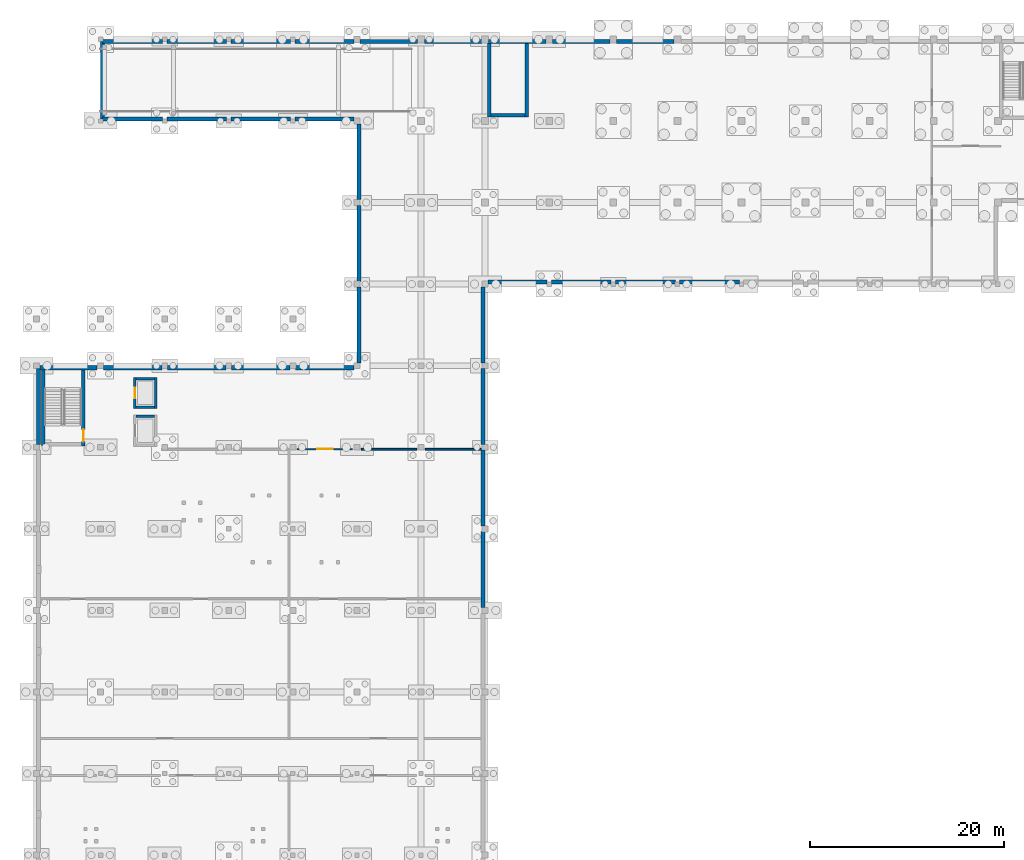
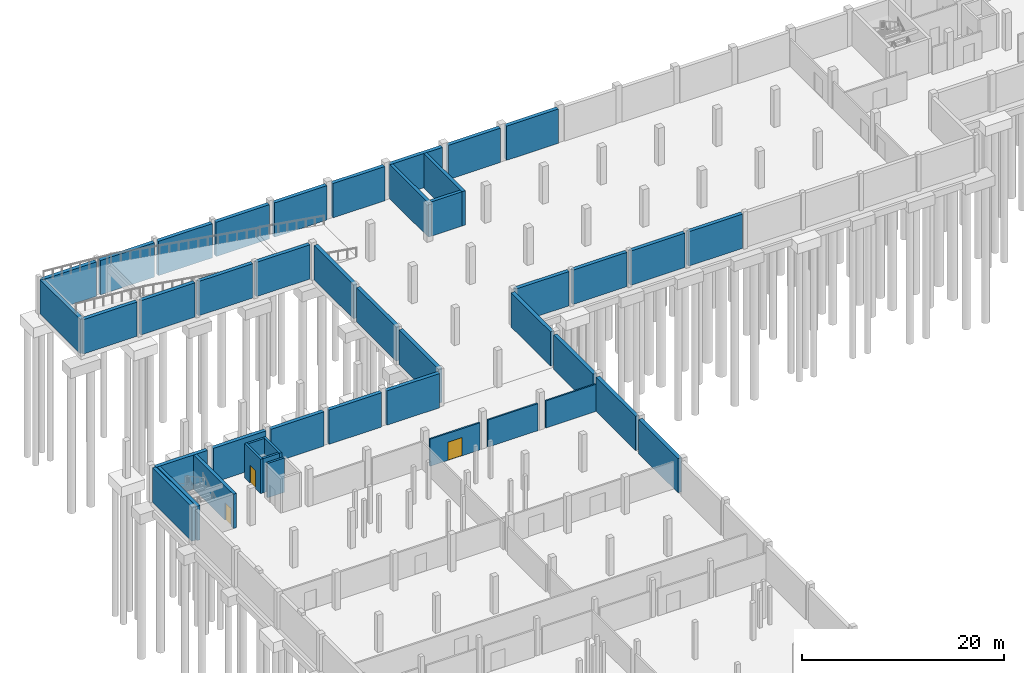
# One storey, part 14 of 25: 44 walls, 3 doors, 3 openings.
"""IFC4 building model written with IfcOpenShell, lengths in metres."""

from ifc_helpers import new_model, si_unit, direction, frame, frame_2d, origin, place, context, subcontext, project, spatial, rectangle, extrude, material, layer, layer_set, type_object, element, fill, save


model = new_model("IFC4")

# Units and contexts
model_context = context("Model", 3, precision=1e-05, world=origin(), true_north=direction((0.0, 1.0)))
body_context = subcontext(model_context, "Body", "Model", "MODEL_VIEW")
ifc_project = project(units=[si_unit("LENGTHUNIT", "METRE"), si_unit("AREAUNIT", "SQUARE_METRE"), si_unit("VOLUMEUNIT", "CUBIC_METRE"), si_unit("PLANEANGLEUNIT", "RADIAN"), si_unit("MASSUNIT", "GRAM", prefix="KILO")], contexts=[model_context])

# Site, building, storey
site_placement = place(None, origin())
site = spatial("IfcSite", under=ifc_project, at=site_placement, CompositionType="ELEMENT")
building_placement = place(site_placement, origin())
building = spatial("IfcBuilding", under=site, at=building_placement, Name="Qaldarim Faculty of Natural and Applied Sciences", CompositionType="ELEMENT")
storey_placement = place(building_placement, frame((0.0, 0.0, -4.5)))
storey = spatial("IfcBuildingStorey", under=building, at=storey_placement, Name="B01", CompositionType="ELEMENT", Elevation=-4.5)

# Walls
ifc_material_1 = material(Name="Concrete C40/50", Category="concrete")
ifc_layer_1 = layer(ifc_material_1, 0.419921875)
ifc_layer_set_1 = layer_set([ifc_layer_1], Name="Concrete C40/50")
wall_type_1 = type_object("IfcWallType", Name="BasementRetainingWall-420", PredefinedType="SOLIDWALL", material=ifc_layer_set_1)
wall_1_placement = place(storey_placement, frame((6.25, 83.7900390625, 0.0), z_axis=(0.0, 0.0, 1.0), x_axis=(-1.0, 0.0, 0.0)))
element("IfcWall", 1, at=wall_1_placement, inside=storey, type_object=wall_type_1, Name="Basement retaining wall N X01Y10", PredefinedType="SOLIDWALL", context=body_context, shape_type="SweptSolid", body=[
    extrude(rectangle(XDim=5.89990234375, YDim=0.419921875, at=frame_2d((2.949951171875, 0.0))), origin(), (0.0, 0.0, 1.0), 4.139892578125),
])
wall_2_placement = place(storey_placement, frame((0.2099609375, 83.705078125, 0.0), z_axis=(0.0, 0.0, 1.0), x_axis=(0.0, -1.0, 0.0)))
element("IfcWall", 2, at=wall_2_placement, inside=storey, type_object=wall_type_1, Name="Basement retaining wall W X01Y10", PredefinedType="SOLIDWALL", context=body_context, shape_type="SweptSolid", body=[
    extrude(rectangle(XDim=7.81005859375, YDim=0.419921875, at=frame_2d((3.905029296875, 0.0))), origin(), (0.0, 0.0, 1.0), 4.139892578125),
])
wall_3_placement = place(storey_placement, frame((12.905029296875, 83.7900390625, 0.0), z_axis=(0.0, 0.0, 1.0), x_axis=(-1.0, 0.0, 0.0)))
element("IfcWall", 3, at=wall_3_placement, inside=storey, type_object=wall_type_1, Name="Basement retaining wall N X02Y10", PredefinedType="SOLIDWALL", context=body_context, shape_type="SweptSolid", body=[
    extrude(rectangle(XDim=6.010009765625, YDim=0.419921875, at=frame_2d((3.0048828125, 0.0))), origin(), (0.0, 0.0, 1.0), 4.139892578125),
])
for number, where, z_axis, x_axis, name in (
    (4, (6.820068359375, 109.409912109375, 0.0), (0.0, 0.0, 1.0), (1.0, 0.0, 0.0), "Basement retaining wall S X02Y14"),
    (5, (12.97998046875, 117.389892578125, 0.0), (0.0, 0.0, 1.0), (-1.0, 0.0, 0.0), "Basement retaining wall N X02Y14"),
):
    element("IfcWall", number, at=place(storey_placement, frame(where, z_axis=z_axis, x_axis=x_axis)), inside=storey, type_object=wall_type_1, Name=name, PredefinedType="SOLIDWALL", context=body_context, shape_type="SweptSolid", body=[
        extrude(rectangle(XDim=6.159912109375, YDim=0.419921875, at=frame_2d((3.080078125, 0.0))), origin(), (0.0, 0.0, 1.0), 4.139892578125),
    ])
wall_4_placement = place(storey_placement, frame((6.81005859375, 117.3798828125, 0.0), z_axis=(0.0, 0.0, 1.0), x_axis=(0.0, -1.0, 0.0)))
element("IfcWall", 6, at=wall_4_placement, inside=storey, type_object=wall_type_1, Name="Basement retaining wall W X02Y14", PredefinedType="SOLIDWALL", context=body_context, shape_type="SweptSolid", body=[
    extrude(rectangle(XDim=7.9599609375, YDim=0.419921875, at=frame_2d((3.97998046875, 0.0))), origin(), (0.0, 0.0, 1.0), 4.139892578125),
])
wall_5_placement = place(storey_placement, frame((19.5048828125, 83.7900390625, 0.0), z_axis=(0.0, 0.0, 1.0), x_axis=(-1.0, 0.0, 0.0)))
element("IfcWall", 7, at=wall_5_placement, inside=storey, type_object=wall_type_1, Name="Basement retaining wall N X03Y10", PredefinedType="SOLIDWALL", context=body_context, shape_type="SweptSolid", body=[
    extrude(rectangle(XDim=6.009765625, YDim=0.419921875, at=frame_2d((3.0048828125, 0.0))), origin(), (0.0, 0.0, 1.0), 4.139892578125),
])
for number, where, z_axis, x_axis, name in (
    (8, (13.419921875, 109.409912109375, 0.0), (0.0, 0.0, 1.0), (1.0, 0.0, 0.0), "Basement retaining wall S X03Y14"),
    (9, (19.580078125, 117.389892578125, 0.0), (0.0, 0.0, 1.0), (-1.0, 0.0, 0.0), "Basement retaining wall N X03Y14"),
):
    element("IfcWall", number, at=place(storey_placement, frame(where, z_axis=z_axis, x_axis=x_axis)), inside=storey, type_object=wall_type_1, Name=name, PredefinedType="SOLIDWALL", context=body_context, shape_type="SweptSolid", body=[
        extrude(rectangle(XDim=6.16015625, YDim=0.419921875, at=frame_2d((3.080078125, 0.0))), origin(), (0.0, 0.0, 1.0), 4.139892578125),
    ])
wall_6_placement = place(storey_placement, frame((26.10498046875, 83.7900390625, 0.0), z_axis=(0.0, 0.0, 1.0), x_axis=(-1.0, 0.0, 0.0)))
element("IfcWall", 10, at=wall_6_placement, inside=storey, type_object=wall_type_1, Name="Basement retaining wall N X04Y10", PredefinedType="SOLIDWALL", context=body_context, shape_type="SweptSolid", body=[
    extrude(rectangle(XDim=6.010009765625, YDim=0.419921875, at=frame_2d((3.0048828125, 0.0))), origin(), (0.0, 0.0, 1.0), 4.139892578125),
])
for number, where, z_axis, x_axis, name in (
    (11, (20.02001953125, 109.409912109375, 0.0), (0.0, 0.0, 1.0), (1.0, 0.0, 0.0), "Basement retaining wall S X04Y14"),
    (12, (26.179931640625, 117.389892578125, 0.0), (0.0, 0.0, 1.0), (-1.0, 0.0, 0.0), "Basement retaining wall N X04Y14"),
):
    element("IfcWall", number, at=place(storey_placement, frame(where, z_axis=z_axis, x_axis=x_axis)), inside=storey, type_object=wall_type_1, Name=name, PredefinedType="SOLIDWALL", context=body_context, shape_type="SweptSolid", body=[
        extrude(rectangle(XDim=6.159912109375, YDim=0.419921875, at=frame_2d((3.080078125, 0.0))), origin(), (0.0, 0.0, 1.0), 4.139892578125),
    ])
wall_7_placement = place(storey_placement, frame((32.705078125, 83.7900390625, 0.0), z_axis=(0.0, 0.0, 1.0), x_axis=(-1.0, 0.0, 0.0)))
element("IfcWall", 13, at=wall_7_placement, inside=storey, type_object=wall_type_1, Name="Basement retaining wall N X05Y10", PredefinedType="SOLIDWALL", context=body_context, shape_type="SweptSolid", body=[
    extrude(rectangle(XDim=6.010009765625, YDim=0.419921875, at=frame_2d((3.0048828125, 0.0))), origin(), (0.0, 0.0, 1.0), 4.139892578125),
])
for number, where, z_axis, x_axis, name in (
    (14, (26.6201171875, 109.409912109375, 0.0), (0.0, 0.0, 1.0), (1.0, 0.0, 0.0), "Basement retaining wall S X05Y14"),
    (15, (32.705078125, 117.389892578125, 0.0), (0.0, 0.0, 1.0), (-1.0, 0.0, 0.0), "Basement retaining wall N X05Y14"),
):
    element("IfcWall", number, at=place(storey_placement, frame(where, z_axis=z_axis, x_axis=x_axis)), inside=storey, type_object=wall_type_1, Name=name, PredefinedType="SOLIDWALL", context=body_context, shape_type="SweptSolid", body=[
        extrude(rectangle(XDim=6.0849609375, YDim=0.419921875, at=frame_2d((3.04248046875, 0.0))), origin(), (0.0, 0.0, 1.0), 4.139892578125),
    ])
wall_8_placement = place(storey_placement, frame((33.2099609375, 92.10498046875, 0.0), z_axis=(0.0, 0.0, 1.0), x_axis=(0.0, -1.0, 0.0)))
element("IfcWall", 16, at=wall_8_placement, inside=storey, type_object=wall_type_1, Name="Basement retaining wall W X06Y11", PredefinedType="SOLIDWALL", context=body_context, shape_type="SweptSolid", body=[
    extrude(rectangle(XDim=7.81005859375, YDim=0.419921875, at=frame_2d((3.905029296875, 0.0))), origin(), (0.0, 0.0, 1.0), 4.139892578125),
])
wall_9_placement = place(storey_placement, frame((33.2099609375, 100.5048828125, 0.0), z_axis=(0.0, 0.0, 1.0), x_axis=(0.0, -1.0, 0.0)))
element("IfcWall", 17, at=wall_9_placement, inside=storey, type_object=wall_type_1, Name="Basement retaining wall W X06Y12", PredefinedType="SOLIDWALL", context=body_context, shape_type="SweptSolid", body=[
    extrude(rectangle(XDim=7.809814453125, YDim=0.419921875, at=frame_2d((3.90478515625, 0.0))), origin(), (0.0, 0.0, 1.0), 4.139892578125),
])
wall_10_placement = place(storey_placement, frame((33.2099609375, 108.905029296875, 0.0), z_axis=(0.0, 0.0, 1.0), x_axis=(0.0, -1.0, 0.0)))
element("IfcWall", 18, at=wall_10_placement, inside=storey, type_object=wall_type_1, Name="Basement retaining wall W X06Y13", PredefinedType="SOLIDWALL", context=body_context, shape_type="SweptSolid", body=[
    extrude(rectangle(XDim=7.81005859375, YDim=0.419921875, at=frame_2d((3.905029296875, 0.0))), origin(), (0.0, 0.0, 1.0), 4.139892578125),
])
wall_11_placement = place(storey_placement, frame((39.2548828125, 117.389892578125, 0.0), z_axis=(0.0, 0.0, 1.0), x_axis=(-1.0, 0.0, 0.0)))
element("IfcWall", 19, at=wall_11_placement, inside=storey, type_object=wall_type_1, Name="Basement retaining wall N X06Y14", PredefinedType="SOLIDWALL", context=body_context, shape_type="SweptSolid", body=[
    extrude(rectangle(XDim=5.9599609375, YDim=0.419921875, at=frame_2d((2.97998046875, 0.0))), origin(), (0.0, 0.0, 1.0), 4.139892578125),
])
wall_12_placement = place(storey_placement, frame((45.989990234375, 59.094970703125, 0.0), z_axis=(0.0, 0.0, 1.0), x_axis=(0.0, 1.0, 0.0)))
element("IfcWall", 20, at=wall_12_placement, inside=storey, type_object=wall_type_1, Name="Basement retaining wall E X07Y08", PredefinedType="SOLIDWALL", context=body_context, shape_type="SweptSolid", body=[
    extrude(rectangle(XDim=7.81005859375, YDim=0.419921875, at=frame_2d((3.905029296875, 0.0))), origin(), (0.0, 0.0, 1.0), 4.139892578125),
])
wall_13_placement = place(storey_placement, frame((45.989990234375, 67.4951171875, 0.0), z_axis=(0.0, 0.0, 1.0), x_axis=(0.0, 1.0, 0.0)))
element("IfcWall", 21, at=wall_13_placement, inside=storey, type_object=wall_type_1, Name="Basement retaining wall E X07Y09", PredefinedType="SOLIDWALL", context=body_context, shape_type="SweptSolid", body=[
    extrude(rectangle(XDim=7.809814453125, YDim=0.419921875, at=frame_2d((3.90478515625, 0.0))), origin(), (0.0, 0.0, 1.0), 4.139892578125),
])
for number, where, z_axis, x_axis, name in (
    (22, (45.989990234375, 75.89501953125, 0.0), (0.0, 0.0, 1.0), (0.0, 1.0, 0.0), "Basement retaining wall E X07Y10"),
    (23, (45.989990234375, 84.294921875, 0.0), (0.0, 0.0, 1.0), (0.0, 1.0, 0.0), "Basement retaining wall E X07Y11"),
):
    element("IfcWall", number, at=place(storey_placement, frame(where, z_axis=z_axis, x_axis=x_axis)), inside=storey, type_object=wall_type_1, Name=name, PredefinedType="SOLIDWALL", context=body_context, shape_type="SweptSolid", body=[
        extrude(rectangle(XDim=7.81005859375, YDim=0.419921875, at=frame_2d((3.905029296875, 0.0))), origin(), (0.0, 0.0, 1.0), 4.139892578125),
    ])
wall_14_placement = place(storey_placement, frame((45.85498046875, 117.389892578125, 0.0), z_axis=(0.0, 0.0, 1.0), x_axis=(-1.0, 0.0, 0.0)))
element("IfcWall", 24, at=wall_14_placement, inside=storey, type_object=wall_type_1, Name="Basement retaining wall N X07Y14", PredefinedType="SOLIDWALL", context=body_context, shape_type="SweptSolid", body=[
    extrude(rectangle(XDim=5.909912109375, YDim=0.419921875, at=frame_2d((2.955078125, 0.0))), origin(), (0.0, 0.0, 1.0), 4.139892578125),
])
wall_15_placement = place(storey_placement, frame((46.4951171875, 92.610107421875, 0.0), z_axis=(0.0, 0.0, 1.0), x_axis=(1.0, 0.0, 0.0)))
element("IfcWall", 25, at=wall_15_placement, inside=storey, type_object=wall_type_1, Name="Basement retaining wall S X08Y12", PredefinedType="SOLIDWALL", context=body_context, shape_type="SweptSolid", body=[
    extrude(rectangle(XDim=6.0849609375, YDim=0.419921875, at=frame_2d((3.04248046875, 0.0))), origin(), (0.0, 0.0, 1.0), 4.139892578125),
])
wall_16_placement = place(storey_placement, frame((52.455078125, 117.389892578125, 0.0), z_axis=(0.0, 0.0, 1.0), x_axis=(-1.0, 0.0, 0.0)))
element("IfcWall", 26, at=wall_16_placement, inside=storey, type_object=wall_type_1, Name="Basement retaining wall N X08Y14", PredefinedType="SOLIDWALL", context=body_context, shape_type="SweptSolid", body=[
    extrude(rectangle(XDim=5.91015625, YDim=0.419921875, at=frame_2d((2.955078125, 0.0))), origin(), (0.0, 0.0, 1.0), 4.139892578125),
])
wall_17_placement = place(storey_placement, frame((53.02001953125, 92.610107421875, 0.0), z_axis=(0.0, 0.0, 1.0), x_axis=(1.0, 0.0, 0.0)))
element("IfcWall", 27, at=wall_17_placement, inside=storey, type_object=wall_type_1, Name="Basement retaining wall S X09Y12", PredefinedType="SOLIDWALL", context=body_context, shape_type="SweptSolid", body=[
    extrude(rectangle(XDim=6.159912109375, YDim=0.419921875, at=frame_2d((3.080078125, 0.0))), origin(), (0.0, 0.0, 1.0), 4.139892578125),
])
wall_18_placement = place(storey_placement, frame((59.054931640625, 117.389892578125, 0.0), z_axis=(0.0, 0.0, 1.0), x_axis=(-1.0, 0.0, 0.0)))
element("IfcWall", 28, at=wall_18_placement, inside=storey, type_object=wall_type_1, Name="Basement retaining wall N X09Y14", PredefinedType="SOLIDWALL", context=body_context, shape_type="SweptSolid", body=[
    extrude(rectangle(XDim=5.909912109375, YDim=0.419921875, at=frame_2d((2.955078125, 0.0))), origin(), (0.0, 0.0, 1.0), 4.139892578125),
])
wall_19_placement = place(storey_placement, frame((59.6201171875, 92.610107421875, 0.0), z_axis=(0.0, 0.0, 1.0), x_axis=(1.0, 0.0, 0.0)))
element("IfcWall", 29, at=wall_19_placement, inside=storey, type_object=wall_type_1, Name="Basement retaining wall S X10Y12", PredefinedType="SOLIDWALL", context=body_context, shape_type="SweptSolid", body=[
    extrude(rectangle(XDim=6.159912109375, YDim=0.419921875, at=frame_2d((3.080078125, 0.0))), origin(), (0.0, 0.0, 1.0), 4.139892578125),
])
wall_20_placement = place(storey_placement, frame((65.655029296875, 117.389892578125, 0.0), z_axis=(0.0, 0.0, 1.0), x_axis=(-1.0, 0.0, 0.0)))
element("IfcWall", 30, at=wall_20_placement, inside=storey, type_object=wall_type_1, Name="Basement retaining wall N X10Y14", PredefinedType="SOLIDWALL", context=body_context, shape_type="SweptSolid", body=[
    extrude(rectangle(XDim=5.909912109375, YDim=0.419921875, at=frame_2d((2.955078125, 0.0))), origin(), (0.0, 0.0, 1.0), 4.139892578125),
])
wall_21_placement = place(storey_placement, frame((66.219970703125, 92.610107421875, 0.0), z_axis=(0.0, 0.0, 1.0), x_axis=(1.0, 0.0, 0.0)))
element("IfcWall", 31, at=wall_21_placement, inside=storey, type_object=wall_type_1, Name="Basement retaining wall S X11Y12", PredefinedType="SOLIDWALL", context=body_context, shape_type="SweptSolid", body=[
    extrude(rectangle(XDim=6.159912109375, YDim=0.419921875, at=frame_2d((3.080078125, 0.0))), origin(), (0.0, 0.0, 1.0), 4.139892578125),
])
ifc_material_2 = material(Name="Concrete C50/60", Category="concrete")
ifc_layer_2 = layer(ifc_material_2, 0.360107421875)
ifc_layer_set_2 = layer_set([ifc_layer_2], Name="Concrete C50/60")
wall_type_2 = type_object("IfcWallType", Name="CoreShearWall-360", PredefinedType="SHEAR", material=ifc_layer_set_2)
for number, where, z_axis, x_axis, name in (
    (32, (46.6201171875, 109.590087890625, 0.0), (0.0, 0.0, 1.0), (0.0, 1.0, 0.0), "Core stair ST-B2 west shear wall B01"),
    (33, (50.47998046875, 109.590087890625, 0.0), (0.0, 0.0, 1.0), (0.0, 1.0, 0.0), "Core stair ST-B2 east shear wall B01"),
):
    element("IfcWall", number, at=place(storey_placement, frame(where, z_axis=z_axis, x_axis=x_axis)), inside=storey, type_object=wall_type_2, Name=name, PredefinedType="SHEAR", context=body_context, shape_type="SweptSolid", body=[
        extrude(rectangle(XDim=7.7998046875, YDim=0.360107421875, at=frame_2d((3.89990234375, 0.0))), origin(), (0.0, 0.0, 1.0), 4.139892578125),
    ])
wall_22_placement = place(storey_placement, frame((46.800048828125, 109.77001953125, 0.0), z_axis=(0.0, 0.0, 1.0), x_axis=(1.0, 0.0, 0.0)))
element("IfcWall", 34, at=wall_22_placement, inside=storey, type_object=wall_type_2, Name="Core stair ST-B2 south shear wall B01", PredefinedType="SHEAR", context=body_context, shape_type="SweptSolid", body=[
    extrude(rectangle(XDim=3.5, YDim=0.360107421875, at=frame_2d((1.75, 0.0))), origin(), (0.0, 0.0, 1.0), 4.139892578125),
])
wall_23_placement = place(storey_placement, frame((0.669921875, 75.739990234375, 0.0), z_axis=(0.0, 0.0, 1.0), x_axis=(0.0, 1.0, 0.0)))
element("IfcWall", 35, at=wall_23_placement, inside=storey, type_object=wall_type_2, Name="Core stair ST-D2 west shear wall B01", PredefinedType="SHEAR", context=body_context, shape_type="SweptSolid", body=[
    extrude(rectangle(XDim=8.050048828125, YDim=0.360107421875, at=frame_2d((4.02490234375, 0.0))), origin(), (0.0, 0.0, 1.0), 4.139892578125),
])

# Wall, opening, door
wall_24_placement = place(storey_placement, frame((4.830078125, 75.739990234375, 0.0), z_axis=(0.0, 0.0, 1.0), x_axis=(0.0, 1.0, 0.0)))
wall_24 = element("IfcWall", 36, at=wall_24_placement, inside=storey, type_object=wall_type_2, Name="Core stair ST-D2 east shear wall B01", PredefinedType="SHEAR", context=body_context, shape_type="SweptSolid", body=[
    extrude(rectangle(XDim=8.050048828125, YDim=0.360107421875, at=frame_2d((4.02490234375, 0.0))), origin(), (0.0, 0.0, 1.0), 4.139892578125),
])
opening_1_placement = place(wall_24_placement, frame((0.449951171875, 0.0, 0.0)))
opening_1 = element("IfcOpeningElement", 37, at=opening_1_placement, cuts=wall_24, Name="Opening ID04", PredefinedType="OPENING", context=body_context, shape_type="SweptSolid", body=[
    extrude(rectangle(XDim=1.25, YDim=2.14990234375, at=frame_2d((0.625, 1.074951171875))), frame((0.0, 0.18994140625, 0.0), z_axis=(0.0, -1.0, 0.0), x_axis=(1.0, 0.0, 0.0)), (0.0, 0.0, 1.0), 0.380126953125),
])
ifc_material_3 = material(Name="Architectural stainless steel 316", Category="steel")
door_type_1 = type_object("IfcDoorType", Name="StairEnclosureFireDoor-1250x2150", OperationType="NOTDEFINED", PredefinedType="DOOR", material=ifc_material_3)
door_1_placement = place(opening_1_placement, origin())
door_1 = element("IfcDoor", 38, at=door_1_placement, inside=storey, type_object=door_type_1, Name="Protected stair ST-D2 fire door D-B01-552", OperationType="SINGLE_SWING_LEFT", OverallHeight=2.14990234375, OverallWidth=1.25, PredefinedType="DOOR", context=body_context, shape_type="SweptSolid", body=[
    extrude(rectangle(XDim=1.25, YDim=2.14990234375, at=frame_2d((0.625, 1.074951171875))), frame((0.0, 0.02490234375, 0.0), z_axis=(0.0, -1.0, 0.0), x_axis=(1.0, 0.0, 0.0)), (0.0, 0.0, 1.0), 0.050048828125),
])
fill(opening_1, door_1)

ifc_layer_3 = layer(ifc_material_1, 0.179931640625)
ifc_layer_set_3 = layer_set([ifc_layer_3], Name="Concrete C40/50")
wall_type_3 = type_object("IfcWallType", Name="LabFireCompartmentWall-180", PredefinedType="SOLIDWALL", material=ifc_layer_set_3)
wall_25_placement = place(storey_placement, frame((26.85009765625, 75.39990234375, 0.0), z_axis=(0.0, 0.0, 1.0), x_axis=(1.0, 0.0, 0.0)))
wall_25 = element("IfcWall", 39, at=wall_25_placement, inside=storey, type_object=wall_type_3, Name="Interior partition PRT-B01-V2B-N-S3", PredefinedType="SOLIDWALL", context=body_context, shape_type="SweptSolid", body=[
    extrude(rectangle(XDim=5.699951171875, YDim=0.179931640625, at=frame_2d((2.85009765625, 0.0))), origin(), (0.0, 0.0, 1.0), 3.27490234375),
])
opening_2_placement = place(wall_25_placement, frame((2.050048828125, 0.0, 0.0)))
opening_2 = element("IfcOpeningElement", 40, at=opening_2_placement, cuts=wall_25, Name="Opening ID06", PredefinedType="OPENING", context=body_context, shape_type="SweptSolid", body=[
    extrude(rectangle(XDim=1.60009765625, YDim=2.199951171875, at=frame_2d((0.800048828125, 1.10009765625))), frame((0.0, 0.099853515625, 0.0), z_axis=(0.0, -1.0, 0.0), x_axis=(1.0, 0.0, 0.0)), (0.0, 0.0, 1.0), 0.199951171875),
])
door_type_2 = type_object("IfcDoorType", Name="LabEquipmentDoubleDoor-1600x2200", OperationType="NOTDEFINED", PredefinedType="DOOR", material=ifc_material_3)
door_2_placement = place(opening_2_placement, origin())
door_2 = element("IfcDoor", 41, at=door_2_placement, inside=storey, type_object=door_type_2, Name="Interior door D-B01-155", OperationType="DOUBLE_DOOR_SINGLE_SWING", OverallHeight=2.199951171875, OverallWidth=1.60009765625, PredefinedType="DOOR", context=body_context, shape_type="SweptSolid", body=[
    extrude(rectangle(XDim=1.60009765625, YDim=2.199951171875, at=frame_2d((0.800048828125, 1.10009765625))), frame((0.0, 0.02490234375, 0.0), z_axis=(0.0, -1.0, 0.0), x_axis=(1.0, 0.0, 0.0)), (0.0, 0.0, 1.0), 0.050048828125),
])
fill(opening_2, door_2)

# Walls
wall_26_placement = place(storey_placement, frame((33.449951171875, 75.39990234375, 0.0), z_axis=(0.0, 0.0, 1.0), x_axis=(1.0, 0.0, 0.0)))
element("IfcWall", 42, at=wall_26_placement, inside=storey, type_object=wall_type_3, Name="Interior partition PRT-B01-V2B-N-S4", PredefinedType="SOLIDWALL", context=body_context, shape_type="SweptSolid", body=[
    extrude(rectangle(XDim=5.699951171875, YDim=0.179931640625, at=frame_2d((2.85009765625, 0.0))), origin(), (0.0, 0.0, 1.0), 3.27490234375),
])
wall_27_placement = place(storey_placement, frame((40.050048828125, 75.39990234375, 0.0), z_axis=(0.0, 0.0, 1.0), x_axis=(1.0, 0.0, 0.0)))
element("IfcWall", 43, at=wall_27_placement, inside=storey, type_object=wall_type_3, Name="Interior partition PRT-B01-V2B-N-S5", PredefinedType="SOLIDWALL", context=body_context, shape_type="SweptSolid", body=[
    extrude(rectangle(XDim=5.72998046875, YDim=0.179931640625, at=frame_2d((2.864990234375, 0.0))), origin(), (0.0, 0.0, 1.0), 3.27490234375),
])
ifc_layer_4 = layer(ifc_material_1, 0.25)
ifc_layer_set_4 = layer_set([ifc_layer_4], Name="Concrete C40/50")
wall_type_4 = type_object("IfcWallType", Name="LiftShaftWall-250", PredefinedType="SHEAR", material=ifc_layer_set_4)
wall_28_placement = place(storey_placement, frame((10.25, 78.77490234375, 0.0), z_axis=(0.0, 0.0, 1.0), x_axis=(1.0, 0.0, 0.0)))
element("IfcWall", 44, at=wall_28_placement, inside=storey, type_object=wall_type_4, Name="Lift LF-D1 north shaft wall B01", PredefinedType="SHEAR", context=body_context, shape_type="SweptSolid", body=[
    extrude(rectangle(XDim=1.89990234375, YDim=0.25, at=frame_2d((0.949951171875, 0.0))), origin(), (0.0, 0.0, 1.0), 4.139892578125),
])

# Wall, opening, door
wall_29_placement = place(storey_placement, frame((10.125, 79.60009765625, 0.0), z_axis=(0.0, 0.0, 1.0), x_axis=(0.0, 1.0, 0.0)))
wall_29 = element("IfcWall", 45, at=wall_29_placement, inside=storey, type_object=wall_type_4, Name="Lift LF-D2 front shaft wall B01", PredefinedType="SHEAR", context=body_context, shape_type="SweptSolid", body=[
    extrude(rectangle(XDim=3.199951171875, YDim=0.25, at=frame_2d((1.60009765625, 0.0))), origin(), (0.0, 0.0, 1.0), 4.139892578125),
])
opening_3_placement = place(wall_29_placement, frame((1.050048828125, 0.0, 0.0)))
opening_3 = element("IfcOpeningElement", 46, at=opening_3_placement, cuts=wall_29, Name="Opening LD01", PredefinedType="OPENING", context=body_context, shape_type="SweptSolid", body=[
    extrude(rectangle(XDim=1.10009765625, YDim=2.14990234375, at=frame_2d((0.550048828125, 1.074951171875))), frame((0.0, 0.135009765625, 0.0), z_axis=(0.0, -1.0, 0.0), x_axis=(1.0, 0.0, 0.0)), (0.0, 0.0, 1.0), 0.27001953125),
])
door_type_3 = type_object("IfcDoorType", Name="LiftLandingSlidingDoor-1100x2150", OperationType="NOTDEFINED", PredefinedType="DOOR", material=ifc_material_3)
door_3_placement = place(opening_3_placement, origin())
door_3 = element("IfcDoor", 47, at=door_3_placement, inside=storey, type_object=door_type_3, Name="Lift landing sliding door LF-D2 D-B01-667", OperationType="SLIDING_TO_LEFT", OverallHeight=2.14990234375, OverallWidth=1.10009765625, PredefinedType="DOOR", context=body_context, shape_type="SweptSolid", body=[
    extrude(rectangle(XDim=1.10009765625, YDim=2.14990234375, at=frame_2d((0.550048828125, 1.074951171875))), frame((0.0, 0.02490234375, 0.0), z_axis=(0.0, -1.0, 0.0), x_axis=(1.0, 0.0, 0.0)), (0.0, 0.0, 1.0), 0.050048828125),
])
fill(opening_3, door_3)

# Walls
wall_30_placement = place(storey_placement, frame((12.27490234375, 79.60009765625, 0.0), z_axis=(0.0, 0.0, 1.0), x_axis=(0.0, 1.0, 0.0)))
element("IfcWall", 48, at=wall_30_placement, inside=storey, type_object=wall_type_4, Name="Lift LF-D2 rear shaft wall B01", PredefinedType="SHEAR", context=body_context, shape_type="SweptSolid", body=[
    extrude(rectangle(XDim=3.199951171875, YDim=0.25, at=frame_2d((1.60009765625, 0.0))), origin(), (0.0, 0.0, 1.0), 4.139892578125),
])
for number, where, z_axis, x_axis, name in (
    (49, (10.25, 79.72509765625, 0.0), (0.0, 0.0, 1.0), (1.0, 0.0, 0.0), "Lift LF-D2 south shaft wall B01"),
    (50, (10.25, 82.675048828125, 0.0), (0.0, 0.0, 1.0), (1.0, 0.0, 0.0), "Lift LF-D2 north shaft wall B01"),
):
    element("IfcWall", number, at=place(storey_placement, frame(where, z_axis=z_axis, x_axis=x_axis)), inside=storey, type_object=wall_type_4, Name=name, PredefinedType="SHEAR", context=body_context, shape_type="SweptSolid", body=[
        extrude(rectangle(XDim=1.89990234375, YDim=0.25, at=frame_2d((0.949951171875, 0.0))), origin(), (0.0, 0.0, 1.0), 4.139892578125),
    ])

save(model, "model.ifc")
